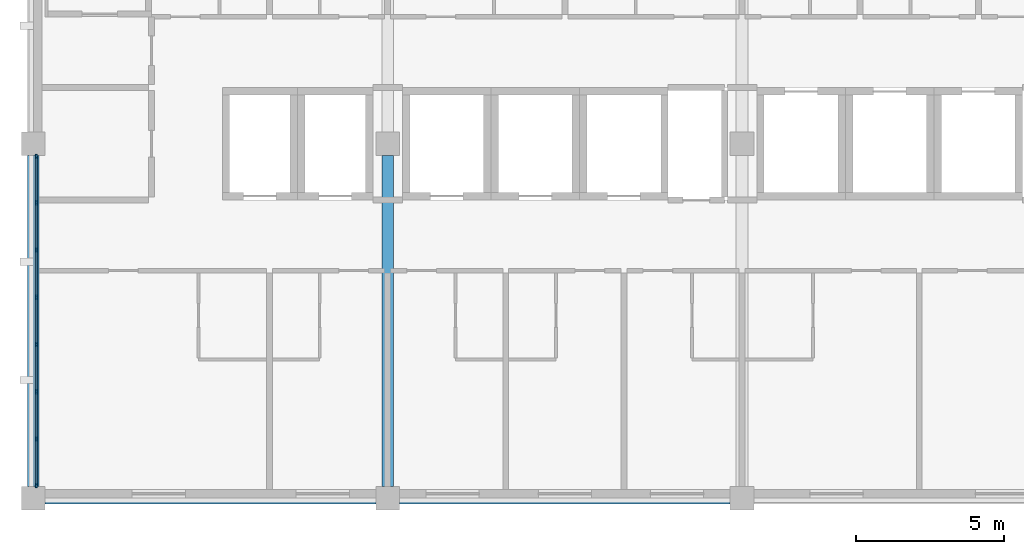
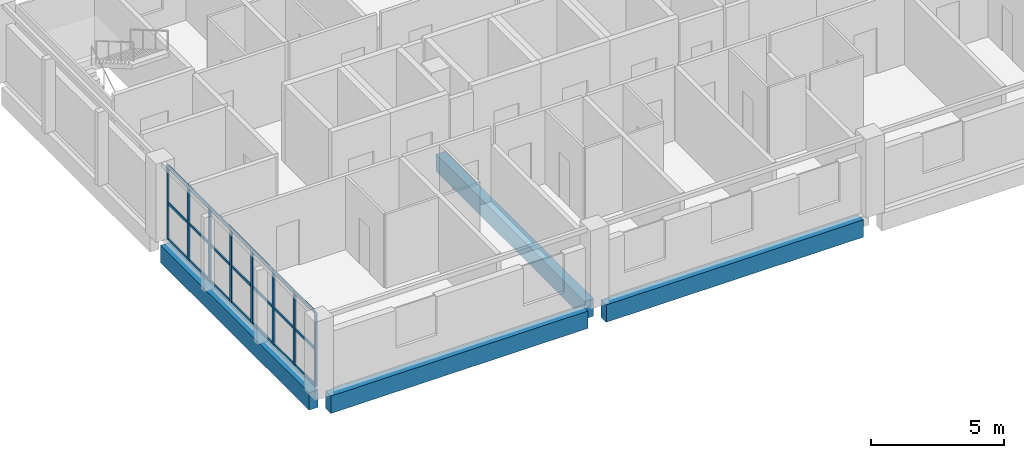
# One storey, part 2 of 11: 29 members, 4 beams, 1 element without a shape of its own.
"""IFC4 building model written with IfcOpenShell, lengths in metres."""

from ifc_helpers import new_model, si_unit, direction, frame, origin, origin_2d, place, context, subcontext, project, spatial, rectangle, extrude, material, layer, layer_set, material_profile, profile_set, type_object, element, aggregate, save


model = new_model("IFC4")

# Units and contexts
model_context = context("Model", 3, precision=1e-05, world=origin(), true_north=direction((0.0, 1.0)))
body_context = subcontext(model_context, "Body", "Model", "MODEL_VIEW")
ifc_project = project(units=[si_unit("LENGTHUNIT", "METRE"), si_unit("AREAUNIT", "SQUARE_METRE"), si_unit("VOLUMEUNIT", "CUBIC_METRE"), si_unit("PLANEANGLEUNIT", "RADIAN"), si_unit("MASSUNIT", "GRAM", prefix="KILO")], contexts=[model_context])

# Site, building, storey
site_placement = place(None, origin())
site = spatial("IfcSite", under=ifc_project, at=site_placement, CompositionType="ELEMENT")
building_placement = place(site_placement, origin())
building = spatial("IfcBuilding", under=site, at=building_placement, Name="Lilac Gate Convention Centre", CompositionType="ELEMENT")
storey_placement = place(building_placement, frame((0.0, 0.0, 46.199951171875)))
storey = spatial("IfcBuildingStorey", under=building, at=storey_placement, Name="L11", CompositionType="ELEMENT", Elevation=46.199951171875)

# Curtain wall, members
ifc_material_1 = material(Name="Aluminium framed double glazing", Category="aluminium")
ifc_layer = layer(ifc_material_1, 0.199951171875)
ifc_layer_set = layer_set([ifc_layer], Name="Aluminium framed double glazing")
curtain_wall_type = type_object("IfcCurtainWallType", Name="Unitised curtain wall 1500", PredefinedType="NOTDEFINED", material=ifc_layer_set)
curtain_wall_placement = place(storey_placement, origin())
curtain_wall = element("IfcCurtainWall", 1, at=curtain_wall_placement, inside=storey, type_object=curtain_wall_type, Name="Curtain wall W L11 2", PredefinedType="NOTDEFINED")
ifc_material_2 = material(Name="Aluminium alloy 6063", Category="aluminium")
ifc_material_profile_1 = material_profile(ifc_material_2, rectangle(XDim=0.06005859375, YDim=0.159912109375, at=origin_2d()), Name="Curtain wall mullion 60 x 160")
ifc_profile_set_1 = profile_set([ifc_material_profile_1], Name="Aluminium alloy 6063")
member_type_1 = type_object("IfcMemberType", Name="Curtain wall mullion 60 x 160", PredefinedType="MULLION", material=ifc_profile_set_1)
member_1_placement = place(storey_placement, frame((42.10009765625, 233.570068359375, 0.0), z_axis=(0.0, 0.0, 1.0), x_axis=(1.0, 0.0, 0.0)))
member_1 = element("IfcMember", 2, at=member_1_placement, type_object=member_type_1, Name="CW mullion 1", PredefinedType="MULLION", context=body_context, shape_type="SweptSolid", body=[
    extrude(rectangle(XDim=0.06005859375, YDim=0.159912109375, at=origin_2d()), origin(), (0.0, 0.0, 1.0), 3.400146484375),
])
member_2_placement = place(storey_placement, frame((42.10009765625, 232.0, 0.0), z_axis=(0.0, 0.0, 1.0), x_axis=(1.0, 0.0, 0.0)))
member_2 = element("IfcMember", 3, at=member_2_placement, type_object=member_type_1, Name="CW mullion 2", PredefinedType="MULLION", context=body_context, shape_type="SweptSolid", body=[
    extrude(rectangle(XDim=0.06005859375, YDim=0.159912109375, at=origin_2d()), origin(), (0.0, 0.0, 1.0), 3.400146484375),
])
member_3_placement = place(storey_placement, frame((42.10009765625, 230.400146484375, 0.0), z_axis=(0.0, 0.0, 1.0), x_axis=(1.0, 0.0, 0.0)))
member_3 = element("IfcMember", 4, at=member_3_placement, type_object=member_type_1, Name="CW mullion 3", PredefinedType="MULLION", context=body_context, shape_type="SweptSolid", body=[
    extrude(rectangle(XDim=0.06005859375, YDim=0.159912109375, at=origin_2d()), origin(), (0.0, 0.0, 1.0), 3.400146484375),
])
member_4_placement = place(storey_placement, frame((42.10009765625, 228.800048828125, 0.0), z_axis=(0.0, 0.0, 1.0), x_axis=(1.0, 0.0, 0.0)))
member_4 = element("IfcMember", 5, at=member_4_placement, type_object=member_type_1, Name="CW mullion 4", PredefinedType="MULLION", context=body_context, shape_type="SweptSolid", body=[
    extrude(rectangle(XDim=0.06005859375, YDim=0.159912109375, at=origin_2d()), origin(), (0.0, 0.0, 1.0), 3.400146484375),
])
member_5_placement = place(storey_placement, frame((42.10009765625, 227.199951171875, 0.0), z_axis=(0.0, 0.0, 1.0), x_axis=(1.0, 0.0, 0.0)))
member_5 = element("IfcMember", 6, at=member_5_placement, type_object=member_type_1, Name="CW mullion 5", PredefinedType="MULLION", context=body_context, shape_type="SweptSolid", body=[
    extrude(rectangle(XDim=0.06005859375, YDim=0.159912109375, at=origin_2d()), origin(), (0.0, 0.0, 1.0), 3.400146484375),
])
member_6_placement = place(storey_placement, frame((42.10009765625, 225.599853515625, 0.0), z_axis=(0.0, 0.0, 1.0), x_axis=(1.0, 0.0, 0.0)))
member_6 = element("IfcMember", 7, at=member_6_placement, type_object=member_type_1, Name="CW mullion 6", PredefinedType="MULLION", context=body_context, shape_type="SweptSolid", body=[
    extrude(rectangle(XDim=0.06005859375, YDim=0.159912109375, at=origin_2d()), origin(), (0.0, 0.0, 1.0), 3.400146484375),
])
member_7_placement = place(storey_placement, frame((42.10009765625, 224.0, 0.0), z_axis=(0.0, 0.0, 1.0), x_axis=(1.0, 0.0, 0.0)))
member_7 = element("IfcMember", 8, at=member_7_placement, type_object=member_type_1, Name="CW mullion 7", PredefinedType="MULLION", context=body_context, shape_type="SweptSolid", body=[
    extrude(rectangle(XDim=0.06005859375, YDim=0.159912109375, at=origin_2d()), origin(), (0.0, 0.0, 1.0), 3.400146484375),
])
member_8_placement = place(storey_placement, frame((42.10009765625, 222.429931640625, 0.0), z_axis=(0.0, 0.0, 1.0), x_axis=(1.0, 0.0, 0.0)))
member_8 = element("IfcMember", 9, at=member_8_placement, type_object=member_type_1, Name="CW mullion 8", PredefinedType="MULLION", context=body_context, shape_type="SweptSolid", body=[
    extrude(rectangle(XDim=0.06005859375, YDim=0.159912109375, at=origin_2d()), origin(), (0.0, 0.0, 1.0), 3.400146484375),
])
ifc_material_profile_2 = material_profile(ifc_material_2, rectangle(XDim=0.06005859375, YDim=0.1201171875, at=origin_2d()), Name="Curtain wall transom 60 x 120")
ifc_profile_set_2 = profile_set([ifc_material_profile_2], Name="Aluminium alloy 6063")
member_type_2 = type_object("IfcMemberType", Name="Curtain wall transom 60 x 120", PredefinedType="USERDEFINED", material=ifc_profile_set_2)
member_9_placement = place(storey_placement, frame((42.10009765625, 233.5400390625, 0.030029296875), z_axis=(0.0, -1.0, 0.0), x_axis=(1.0, 0.0, 0.0)))
member_9 = element("IfcMember", 10, at=member_9_placement, type_object=member_type_2, Name="CW transom 1.1", ObjectType="TRANSOM", PredefinedType="USERDEFINED", context=body_context, shape_type="SweptSolid", body=[
    extrude(rectangle(XDim=0.06005859375, YDim=0.1201171875, at=origin_2d()), origin(), (0.0, 0.0, 1.0), 1.510009765625),
])
member_10_placement = place(storey_placement, frame((42.10009765625, 233.5400390625, 1.699951171875), z_axis=(0.0, -1.0, 0.0), x_axis=(1.0, 0.0, 0.0)))
member_10 = element("IfcMember", 11, at=member_10_placement, type_object=member_type_2, Name="CW transom 1.2", ObjectType="TRANSOM", PredefinedType="USERDEFINED", context=body_context, shape_type="SweptSolid", body=[
    extrude(rectangle(XDim=0.06005859375, YDim=0.1201171875, at=origin_2d()), origin(), (0.0, 0.0, 1.0), 1.510009765625),
])
member_11_placement = place(storey_placement, frame((42.10009765625, 233.5400390625, 3.3701171875), z_axis=(0.0, -1.0, 0.0), x_axis=(1.0, 0.0, 0.0)))
member_11 = element("IfcMember", 12, at=member_11_placement, type_object=member_type_2, Name="CW transom 1.3", ObjectType="TRANSOM", PredefinedType="USERDEFINED", context=body_context, shape_type="SweptSolid", body=[
    extrude(rectangle(XDim=0.06005859375, YDim=0.1201171875, at=origin_2d()), origin(), (0.0, 0.0, 1.0), 1.510009765625),
])
member_12_placement = place(storey_placement, frame((42.10009765625, 231.969970703125, 0.030029296875), z_axis=(0.0, -1.0, 0.0), x_axis=(1.0, 0.0, 0.0)))
member_12 = element("IfcMember", 13, at=member_12_placement, type_object=member_type_2, Name="CW transom 2.1", ObjectType="TRANSOM", PredefinedType="USERDEFINED", context=body_context, shape_type="SweptSolid", body=[
    extrude(rectangle(XDim=0.06005859375, YDim=0.1201171875, at=origin_2d()), origin(), (0.0, 0.0, 1.0), 1.5400390625),
])
member_13_placement = place(storey_placement, frame((42.10009765625, 231.969970703125, 1.699951171875), z_axis=(0.0, -1.0, 0.0), x_axis=(1.0, 0.0, 0.0)))
member_13 = element("IfcMember", 14, at=member_13_placement, type_object=member_type_2, Name="CW transom 2.2", ObjectType="TRANSOM", PredefinedType="USERDEFINED", context=body_context, shape_type="SweptSolid", body=[
    extrude(rectangle(XDim=0.06005859375, YDim=0.1201171875, at=origin_2d()), origin(), (0.0, 0.0, 1.0), 1.5400390625),
])
member_14_placement = place(storey_placement, frame((42.10009765625, 231.969970703125, 3.3701171875), z_axis=(0.0, -1.0, 0.0), x_axis=(1.0, 0.0, 0.0)))
member_14 = element("IfcMember", 15, at=member_14_placement, type_object=member_type_2, Name="CW transom 2.3", ObjectType="TRANSOM", PredefinedType="USERDEFINED", context=body_context, shape_type="SweptSolid", body=[
    extrude(rectangle(XDim=0.06005859375, YDim=0.1201171875, at=origin_2d()), origin(), (0.0, 0.0, 1.0), 1.5400390625),
])
member_15_placement = place(storey_placement, frame((42.10009765625, 230.3701171875, 0.030029296875), z_axis=(0.0, -1.0, 0.0), x_axis=(1.0, 0.0, 0.0)))
member_15 = element("IfcMember", 16, at=member_15_placement, type_object=member_type_2, Name="CW transom 3.1", ObjectType="TRANSOM", PredefinedType="USERDEFINED", context=body_context, shape_type="SweptSolid", body=[
    extrude(rectangle(XDim=0.06005859375, YDim=0.1201171875, at=origin_2d()), origin(), (0.0, 0.0, 1.0), 1.5400390625),
])
member_16_placement = place(storey_placement, frame((42.10009765625, 230.3701171875, 1.699951171875), z_axis=(0.0, -1.0, 0.0), x_axis=(1.0, 0.0, 0.0)))
member_16 = element("IfcMember", 17, at=member_16_placement, type_object=member_type_2, Name="CW transom 3.2", ObjectType="TRANSOM", PredefinedType="USERDEFINED", context=body_context, shape_type="SweptSolid", body=[
    extrude(rectangle(XDim=0.06005859375, YDim=0.1201171875, at=origin_2d()), origin(), (0.0, 0.0, 1.0), 1.5400390625),
])
member_17_placement = place(storey_placement, frame((42.10009765625, 230.3701171875, 3.3701171875), z_axis=(0.0, -1.0, 0.0), x_axis=(1.0, 0.0, 0.0)))
member_17 = element("IfcMember", 18, at=member_17_placement, type_object=member_type_2, Name="CW transom 3.3", ObjectType="TRANSOM", PredefinedType="USERDEFINED", context=body_context, shape_type="SweptSolid", body=[
    extrude(rectangle(XDim=0.06005859375, YDim=0.1201171875, at=origin_2d()), origin(), (0.0, 0.0, 1.0), 1.5400390625),
])
member_18_placement = place(storey_placement, frame((42.10009765625, 228.77001953125, 0.030029296875), z_axis=(0.0, -1.0, 0.0), x_axis=(1.0, 0.0, 0.0)))
member_18 = element("IfcMember", 19, at=member_18_placement, type_object=member_type_2, Name="CW transom 4.1", ObjectType="TRANSOM", PredefinedType="USERDEFINED", context=body_context, shape_type="SweptSolid", body=[
    extrude(rectangle(XDim=0.06005859375, YDim=0.1201171875, at=origin_2d()), origin(), (0.0, 0.0, 1.0), 1.5400390625),
])
member_19_placement = place(storey_placement, frame((42.10009765625, 228.77001953125, 1.699951171875), z_axis=(0.0, -1.0, 0.0), x_axis=(1.0, 0.0, 0.0)))
member_19 = element("IfcMember", 20, at=member_19_placement, type_object=member_type_2, Name="CW transom 4.2", ObjectType="TRANSOM", PredefinedType="USERDEFINED", context=body_context, shape_type="SweptSolid", body=[
    extrude(rectangle(XDim=0.06005859375, YDim=0.1201171875, at=origin_2d()), origin(), (0.0, 0.0, 1.0), 1.5400390625),
])
member_20_placement = place(storey_placement, frame((42.10009765625, 228.77001953125, 3.3701171875), z_axis=(0.0, -1.0, 0.0), x_axis=(1.0, 0.0, 0.0)))
member_20 = element("IfcMember", 21, at=member_20_placement, type_object=member_type_2, Name="CW transom 4.3", ObjectType="TRANSOM", PredefinedType="USERDEFINED", context=body_context, shape_type="SweptSolid", body=[
    extrude(rectangle(XDim=0.06005859375, YDim=0.1201171875, at=origin_2d()), origin(), (0.0, 0.0, 1.0), 1.5400390625),
])
member_21_placement = place(storey_placement, frame((42.10009765625, 227.169921875, 0.030029296875), z_axis=(0.0, -1.0, 0.0), x_axis=(1.0, 0.0, 0.0)))
member_21 = element("IfcMember", 22, at=member_21_placement, type_object=member_type_2, Name="CW transom 5.1", ObjectType="TRANSOM", PredefinedType="USERDEFINED", context=body_context, shape_type="SweptSolid", body=[
    extrude(rectangle(XDim=0.06005859375, YDim=0.1201171875, at=origin_2d()), origin(), (0.0, 0.0, 1.0), 1.5400390625),
])
member_22_placement = place(storey_placement, frame((42.10009765625, 227.169921875, 1.699951171875), z_axis=(0.0, -1.0, 0.0), x_axis=(1.0, 0.0, 0.0)))
member_22 = element("IfcMember", 23, at=member_22_placement, type_object=member_type_2, Name="CW transom 5.2", ObjectType="TRANSOM", PredefinedType="USERDEFINED", context=body_context, shape_type="SweptSolid", body=[
    extrude(rectangle(XDim=0.06005859375, YDim=0.1201171875, at=origin_2d()), origin(), (0.0, 0.0, 1.0), 1.5400390625),
])
member_23_placement = place(storey_placement, frame((42.10009765625, 227.169921875, 3.3701171875), z_axis=(0.0, -1.0, 0.0), x_axis=(1.0, 0.0, 0.0)))
member_23 = element("IfcMember", 24, at=member_23_placement, type_object=member_type_2, Name="CW transom 5.3", ObjectType="TRANSOM", PredefinedType="USERDEFINED", context=body_context, shape_type="SweptSolid", body=[
    extrude(rectangle(XDim=0.06005859375, YDim=0.1201171875, at=origin_2d()), origin(), (0.0, 0.0, 1.0), 1.5400390625),
])
member_24_placement = place(storey_placement, frame((42.10009765625, 225.570068359375, 0.030029296875), z_axis=(0.0, -1.0, 0.0), x_axis=(1.0, 0.0, 0.0)))
member_24 = element("IfcMember", 25, at=member_24_placement, type_object=member_type_2, Name="CW transom 6.1", ObjectType="TRANSOM", PredefinedType="USERDEFINED", context=body_context, shape_type="SweptSolid", body=[
    extrude(rectangle(XDim=0.06005859375, YDim=0.1201171875, at=origin_2d()), origin(), (0.0, 0.0, 1.0), 1.5400390625),
])
member_25_placement = place(storey_placement, frame((42.10009765625, 225.570068359375, 1.699951171875), z_axis=(0.0, -1.0, 0.0), x_axis=(1.0, 0.0, 0.0)))
member_25 = element("IfcMember", 26, at=member_25_placement, type_object=member_type_2, Name="CW transom 6.2", ObjectType="TRANSOM", PredefinedType="USERDEFINED", context=body_context, shape_type="SweptSolid", body=[
    extrude(rectangle(XDim=0.06005859375, YDim=0.1201171875, at=origin_2d()), origin(), (0.0, 0.0, 1.0), 1.5400390625),
])
member_26_placement = place(storey_placement, frame((42.10009765625, 225.570068359375, 3.3701171875), z_axis=(0.0, -1.0, 0.0), x_axis=(1.0, 0.0, 0.0)))
member_26 = element("IfcMember", 27, at=member_26_placement, type_object=member_type_2, Name="CW transom 6.3", ObjectType="TRANSOM", PredefinedType="USERDEFINED", context=body_context, shape_type="SweptSolid", body=[
    extrude(rectangle(XDim=0.06005859375, YDim=0.1201171875, at=origin_2d()), origin(), (0.0, 0.0, 1.0), 1.5400390625),
])
member_27_placement = place(storey_placement, frame((42.10009765625, 223.969970703125, 0.030029296875), z_axis=(0.0, -1.0, 0.0), x_axis=(1.0, 0.0, 0.0)))
member_27 = element("IfcMember", 28, at=member_27_placement, type_object=member_type_2, Name="CW transom 7.1", ObjectType="TRANSOM", PredefinedType="USERDEFINED", context=body_context, shape_type="SweptSolid", body=[
    extrude(rectangle(XDim=0.06005859375, YDim=0.1201171875, at=origin_2d()), origin(), (0.0, 0.0, 1.0), 1.510009765625),
])
member_28_placement = place(storey_placement, frame((42.10009765625, 223.969970703125, 1.699951171875), z_axis=(0.0, -1.0, 0.0), x_axis=(1.0, 0.0, 0.0)))
member_28 = element("IfcMember", 29, at=member_28_placement, type_object=member_type_2, Name="CW transom 7.2", ObjectType="TRANSOM", PredefinedType="USERDEFINED", context=body_context, shape_type="SweptSolid", body=[
    extrude(rectangle(XDim=0.06005859375, YDim=0.1201171875, at=origin_2d()), origin(), (0.0, 0.0, 1.0), 1.510009765625),
])
member_29_placement = place(storey_placement, frame((42.10009765625, 223.969970703125, 3.3701171875), z_axis=(0.0, -1.0, 0.0), x_axis=(1.0, 0.0, 0.0)))
member_29 = element("IfcMember", 30, at=member_29_placement, type_object=member_type_2, Name="CW transom 7.3", ObjectType="TRANSOM", PredefinedType="USERDEFINED", context=body_context, shape_type="SweptSolid", body=[
    extrude(rectangle(XDim=0.06005859375, YDim=0.1201171875, at=origin_2d()), origin(), (0.0, 0.0, 1.0), 1.510009765625),
])
aggregate(curtain_wall, [member_1, member_2, member_3, member_4, member_5, member_6, member_7, member_8, member_9, member_10, member_11, member_12, member_13, member_14, member_15, member_16, member_17, member_18, member_19, member_20, member_21, member_22, member_23, member_24, member_25, member_26, member_27, member_28, member_29])

# Beams
ifc_material_3 = material(Name="Concrete C40", Category="concrete")
ifc_material_profile_3 = material_profile(ifc_material_3, rectangle(XDim=0.39990234375, YDim=0.800048828125, at=origin_2d()), Name="RC 400x800")
ifc_profile_set_3 = profile_set([ifc_material_profile_3], Name="Concrete C40")
beam_type = type_object("IfcBeamType", Name="Tower primary beam 400x800 C40", PredefinedType="BEAM", material=ifc_profile_set_3)
for number, where, z_axis, x_axis, name in (
    (31, (42.39990234375, 222.0, -0.599853515625), (1.0, 0.0, 0.0), (0.0, 1.0, 0.0), "RB3 L11 4/S-5/S"),
    (32, (54.39990234375, 222.0, -0.599853515625), (1.0, 0.0, 0.0), (0.0, 1.0, 0.0), "RB3 L11 5/S-6/S"),
    (33, (42.0, 222.39990234375, -0.599853515625), (0.0, 1.0, 0.0), (-1.0, 0.0, 0.0), "RB3 L11 4/S-4/T"),
    (34, (54.0, 222.39990234375, -0.599853515625), (0.0, 1.0, 0.0), (-1.0, 0.0, 0.0), "RB3 L11 5/S-5/T"),
):
    element("IfcBeam", number, at=place(storey_placement, frame(where, z_axis=z_axis, x_axis=x_axis)), inside=storey, type_object=beam_type, Name=name, PredefinedType="BEAM", context=body_context, shape_type="SweptSolid", body=[
        extrude(rectangle(XDim=0.39990234375, YDim=0.800048828125, at=origin_2d()), origin(), (0.0, 0.0, 1.0), 11.2001953125),
    ])

save(model, "model.ifc")
